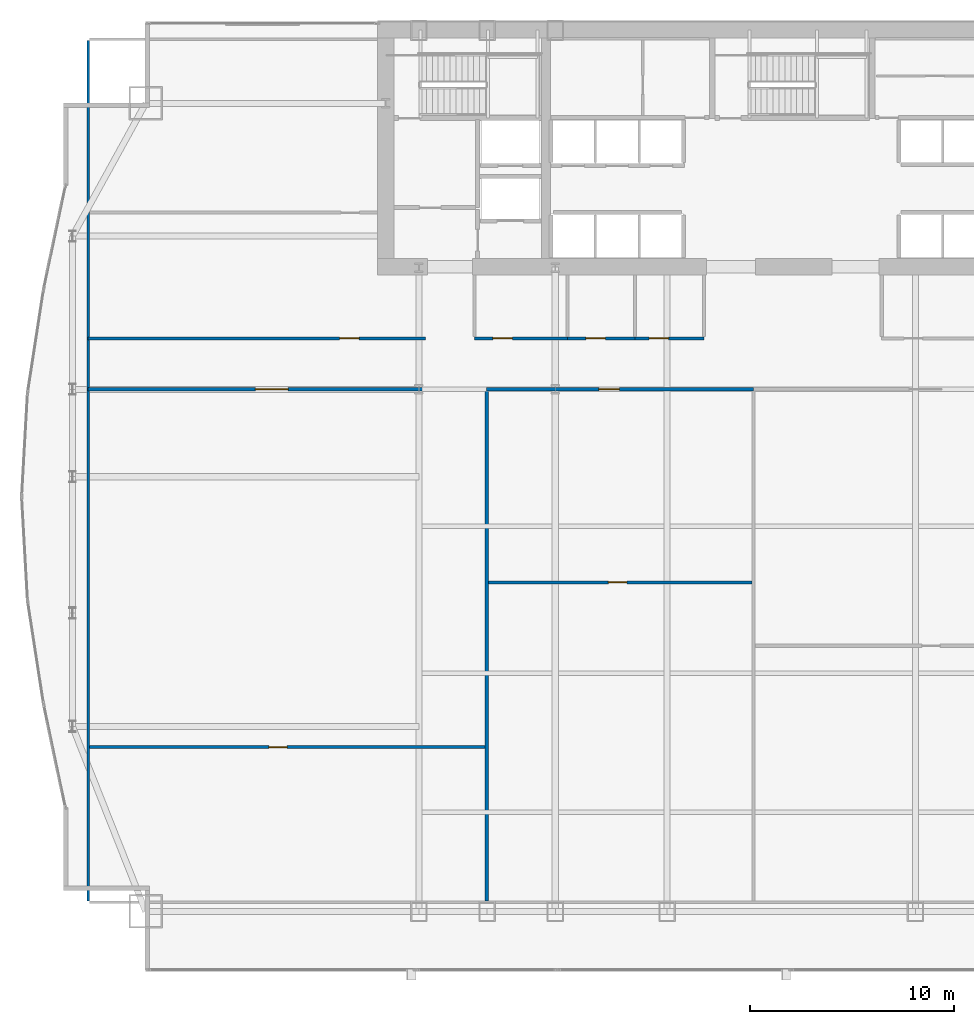
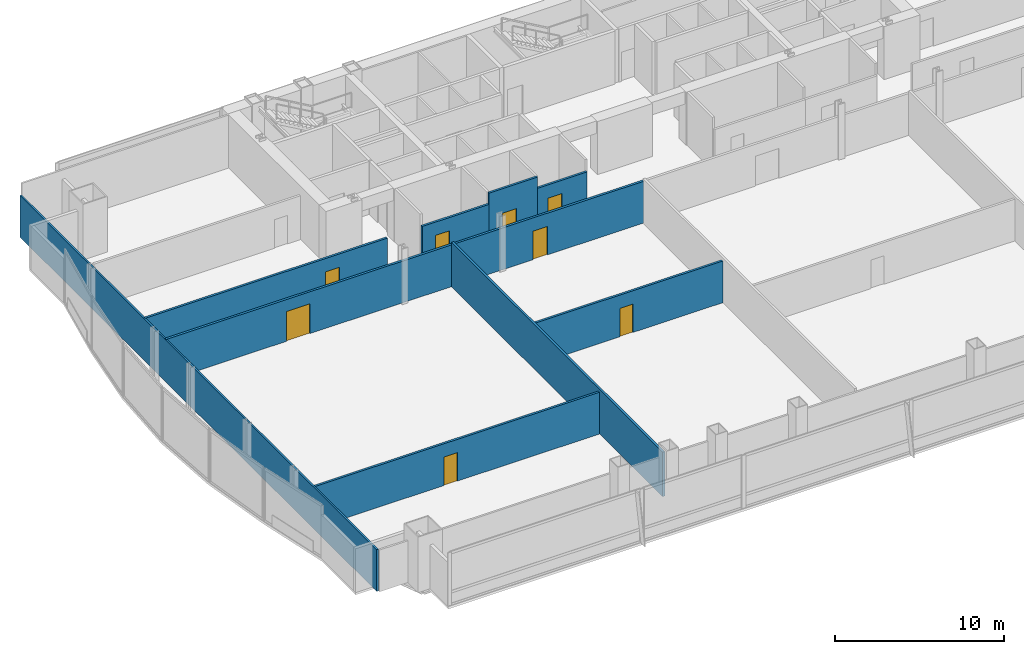
# One storey, part 28 of 35: 10 walls, 8 doors, 8 openings.
"""IFC4 building model written with IfcOpenShell, lengths in metres."""

from ifc_helpers import new_model, si_unit, direction, frame, frame_2d, origin, place, context, subcontext, project, spatial, rectangle, extrude, material, layer, layer_set, type_object, element, fill, save


model = new_model("IFC4")

# Units and contexts
model_context = context("Model", 3, precision=1e-05, world=origin(), true_north=direction((0.0, 1.0)))
body_context = subcontext(model_context, "Body", "Model", "MODEL_VIEW")
ifc_project = project(units=[si_unit("LENGTHUNIT", "METRE"), si_unit("AREAUNIT", "SQUARE_METRE"), si_unit("VOLUMEUNIT", "CUBIC_METRE"), si_unit("PLANEANGLEUNIT", "RADIAN"), si_unit("MASSUNIT", "GRAM", prefix="KILO")], contexts=[model_context])

# Site, building, storey
site_placement = place(None, origin())
site = spatial("IfcSite", under=ifc_project, at=site_placement, CompositionType="ELEMENT")
building_placement = place(site_placement, origin())
building = spatial("IfcBuilding", under=site, at=building_placement, Name="Khoronbel Lancet Exchange", CompositionType="ELEMENT")
storey_placement = place(building_placement, frame((0.0, 0.0, 53.800048828125)))
storey = spatial("IfcBuildingStorey", under=building, at=storey_placement, Name="L12", CompositionType="ELEMENT", Elevation=53.800048828125)

# Wall, opening, door
ifc_material_1 = material(Name="Acoustic Metal-Stud & Mineral-Wool Gypsum Partition 120 mm", Category="gypsum")
ifc_layer_1 = layer(ifc_material_1, 0.1201171875, Name="Acoustic Metal-Stud & Mineral-Wool Gypsum Partition 120 mm")
ifc_layer_set_1 = layer_set([ifc_layer_1], Name="Acoustic Metal-Stud & Mineral-Wool Gypsum Partition 120 mm")
wall_type_1 = type_object("IfcWallType", Name="WL-PRT120", PredefinedType="PARTITIONING", material=ifc_layer_set_1)
wall_1_placement = place(storey_placement, frame((2.094970703125, 18.189697265625, 0.0), z_axis=(0.0, 0.0, 1.0), x_axis=(1.0, 0.0, 0.0)))
wall_1 = element("IfcWall", 1, at=wall_1_placement, inside=storey, type_object=wall_type_1, Name="Level L12 interior partition PW-Z1S-H1", PredefinedType="PARTITIONING", context=body_context, shape_type="SweptSolid", body=[
    extrude(rectangle(XDim=19.3701171875, YDim=0.14990234375, at=frame_2d((9.68505859375, 0.0))), origin(), (0.0, 0.0, 1.0), 3.010009765625),
])
opening_1_placement = place(wall_1_placement, frame((8.78173828125, 0.0, 0.0)))
opening_1 = element("IfcOpeningElement", 2, at=opening_1_placement, cuts=wall_1, Name="Opening D5", PredefinedType="OPENING", context=body_context, shape_type="SweptSolid", body=[
    extrude(rectangle(XDim=0.89990234375, YDim=2.050048828125, at=frame_2d((0.449951171875, 1.02490234375))), frame((0.0, 0.0849609375, 0.0), z_axis=(0.0, -1.0, 0.0), x_axis=(1.0, 0.0, 0.0)), (0.0, 0.0, 1.0), 0.169921875),
])
ifc_material_2 = material(Name="Acoustic Timber Pantry & Support Door", Category="wood")
door_type_1 = type_object("IfcDoorType", Name="DR-D5", OperationType="NOTDEFINED", PredefinedType="DOOR", material=ifc_material_2)
door_1_placement = place(opening_1_placement, origin())
door_1 = element("IfcDoor", 3, at=door_1_placement, inside=storey, type_object=door_type_1, Name="Z1S inner door 1 L12-1", OperationType="SINGLE_SWING_RIGHT", OverallHeight=2.050048828125, OverallWidth=0.89990234375, PredefinedType="DOOR", context=body_context, shape_type="SweptSolid", body=[
    extrude(rectangle(XDim=0.89990234375, YDim=2.050048828125, at=frame_2d((0.449951171875, 1.02490234375))), frame((0.0, 0.02490234375, 0.0), z_axis=(0.0, -1.0, 0.0), x_axis=(1.0, 0.0, 0.0)), (0.0, 0.0, 1.0), 0.050048828125),
])
fill(opening_1, door_1)

wall_2_placement = place(storey_placement, frame((21.625, 26.25732421875, 0.0), z_axis=(0.0, 0.0, 1.0), x_axis=(1.0, 0.0, 0.0)))
wall_2 = element("IfcWall", 4, at=wall_2_placement, inside=storey, type_object=wall_type_1, Name="Level L12 interior partition PW-Z1S-H2", PredefinedType="PARTITIONING", context=body_context, shape_type="SweptSolid", body=[
    extrude(rectangle(XDim=12.908203125, YDim=0.14990234375, at=frame_2d((6.4541015625, 0.0))), origin(), (0.0, 0.0, 1.0), 3.010009765625),
])
opening_2_placement = place(wall_2_placement, frame((5.880615234375, 0.0, 0.0)))
opening_2 = element("IfcOpeningElement", 5, at=opening_2_placement, cuts=wall_2, Name="Opening D5", PredefinedType="OPENING", context=body_context, shape_type="SweptSolid", body=[
    extrude(rectangle(XDim=0.89990234375, YDim=2.050048828125, at=frame_2d((0.449951171875, 1.02490234375))), frame((0.0, 0.0849609375, 0.0), z_axis=(0.0, -1.0, 0.0), x_axis=(1.0, 0.0, 0.0)), (0.0, 0.0, 1.0), 0.169921875),
])
door_2_placement = place(opening_2_placement, origin())
door_2 = element("IfcDoor", 6, at=door_2_placement, inside=storey, type_object=door_type_1, Name="Z1S inner door 2 L12-1", OperationType="SINGLE_SWING_RIGHT", OverallHeight=2.050048828125, OverallWidth=0.89990234375, PredefinedType="DOOR", context=body_context, shape_type="SweptSolid", body=[
    extrude(rectangle(XDim=0.89990234375, YDim=2.050048828125, at=frame_2d((0.449951171875, 1.02490234375))), frame((0.0, 0.02490234375, 0.0), z_axis=(0.0, -1.0, 0.0), x_axis=(1.0, 0.0, 0.0)), (0.0, 0.0, 1.0), 0.050048828125),
])
fill(opening_2, door_2)

# Wall
wall_3_placement = place(storey_placement, frame((2.030029296875, 10.6650390625, 0.0), z_axis=(0.0, 0.0, 1.0), x_axis=(0.0, 1.0, 0.0)))
element("IfcWall", 7, at=wall_3_placement, inside=storey, type_object=wall_type_1, Name="Level L12 interior partition PW-LIN-W", PredefinedType="PARTITIONING", context=body_context, shape_type="SweptSolid", body=[
    extrude(rectangle(XDim=42.10986328125, YDim=0.1201171875, at=frame_2d((21.054931640625, 0.0))), origin(), (0.0, 0.0, 1.0), 3.010009765625),
])

# Wall, opening, door
ifc_material_3 = material(Name="Fire-Rated Twin-Stud Acoustic Gypsum Partition 150 mm", Category="gypsum")
ifc_layer_2 = layer(ifc_material_3, 0.14990234375, Name="Fire-Rated Twin-Stud Acoustic Gypsum Partition 150 mm")
ifc_layer_set_2 = layer_set([ifc_layer_2], Name="Fire-Rated Twin-Stud Acoustic Gypsum Partition 150 mm")
wall_type_2 = type_object("IfcWallType", Name="WL-PRT150C", PredefinedType="PARTITIONING", material=ifc_layer_set_2)
wall_4_placement = place(storey_placement, frame((20.949951171875, 38.199951171875, 0.0), z_axis=(0.0, 0.0, 1.0), x_axis=(1.0, 0.0, 0.0)))
wall_4 = element("IfcWall", 8, at=wall_4_placement, inside=storey, type_object=wall_type_2, Name="Level L12 interior partition PW-WC-S1", PredefinedType="PARTITIONING", context=body_context, shape_type="SweptSolid", body=[
    extrude(rectangle(XDim=4.550048828125, YDim=0.14990234375, at=frame_2d((2.27490234375, 0.0))), origin(), (0.0, 0.0, 1.0), 3.010009765625),
])
opening_3_placement = place(wall_4_placement, frame((0.89990234375, 0.0, 0.0)))
opening_3 = element("IfcOpeningElement", 9, at=opening_3_placement, cuts=wall_4, Name="Opening D4", PredefinedType="OPENING", context=body_context, shape_type="SweptSolid", body=[
    extrude(rectangle(XDim=0.949951171875, YDim=2.050048828125, at=frame_2d((0.47509765625, 1.02490234375))), frame((0.0, 0.0849609375, 0.0), z_axis=(0.0, -1.0, 0.0), x_axis=(1.0, 0.0, 0.0)), (0.0, 0.0, 1.0), 0.169921875),
])
ifc_material_4 = material(Name="Moisture-Resistant HPL Washroom Door", Category="wood")
door_type_2 = type_object("IfcDoorType", Name="DR-D4", OperationType="NOTDEFINED", PredefinedType="DOOR", material=ifc_material_4)
door_3_placement = place(opening_3_placement, origin())
door_3 = element("IfcDoor", 10, at=door_3_placement, inside=storey, type_object=door_type_2, Name="Male washroom door L12-1", OperationType="SINGLE_SWING_LEFT", OverallHeight=2.050048828125, OverallWidth=0.949951171875, PredefinedType="DOOR", context=body_context, shape_type="SweptSolid", body=[
    extrude(rectangle(XDim=0.949951171875, YDim=2.050048828125, at=frame_2d((0.47509765625, 1.02490234375))), frame((0.0, 0.02490234375, 0.0), z_axis=(0.0, -1.0, 0.0), x_axis=(1.0, 0.0, 0.0)), (0.0, 0.0, 1.0), 0.050048828125),
])
fill(opening_3, door_3)

wall_5_placement = place(storey_placement, frame((25.5, 38.199951171875, 0.0), z_axis=(0.0, 0.0, 1.0), x_axis=(1.0, 0.0, 0.0)))
wall_5 = element("IfcWall", 11, at=wall_5_placement, inside=storey, type_object=wall_type_2, Name="Level L12 interior partition PW-WC-S2", PredefinedType="PARTITIONING", context=body_context, shape_type="SweptSolid", body=[
    extrude(rectangle(XDim=3.300048828125, YDim=0.14990234375, at=frame_2d((1.64990234375, 0.0))), origin(), (0.0, 0.0, 1.0), 3.820068359375),
])
opening_4_placement = place(wall_5_placement, frame((0.89990234375, 0.0, 0.0)))
opening_4 = element("IfcOpeningElement", 12, at=opening_4_placement, cuts=wall_5, Name="Opening D4", PredefinedType="OPENING", context=body_context, shape_type="SweptSolid", body=[
    extrude(rectangle(XDim=0.949951171875, YDim=2.050048828125, at=frame_2d((0.47509765625, 1.02490234375))), frame((0.0, 0.0849609375, 0.0), z_axis=(0.0, -1.0, 0.0), x_axis=(1.0, 0.0, 0.0)), (0.0, 0.0, 1.0), 0.169921875),
])
door_4_placement = place(opening_4_placement, origin())
door_4 = element("IfcDoor", 13, at=door_4_placement, inside=storey, type_object=door_type_2, Name="Female washroom door L12-1", OperationType="SINGLE_SWING_RIGHT", OverallHeight=2.050048828125, OverallWidth=0.949951171875, PredefinedType="DOOR", context=body_context, shape_type="SweptSolid", body=[
    extrude(rectangle(XDim=0.949951171875, YDim=2.050048828125, at=frame_2d((0.47509765625, 1.02490234375))), frame((0.0, 0.02490234375, 0.0), z_axis=(0.0, -1.0, 0.0), x_axis=(1.0, 0.0, 0.0)), (0.0, 0.0, 1.0), 0.050048828125),
])
fill(opening_4, door_4)

wall_6_placement = place(storey_placement, frame((28.800048828125, 38.199951171875, 0.0), z_axis=(0.0, 0.0, 1.0), x_axis=(1.0, 0.0, 0.0)))
wall_6 = element("IfcWall", 14, at=wall_6_placement, inside=storey, type_object=wall_type_2, Name="Level L12 interior partition PW-WC-S3", PredefinedType="PARTITIONING", context=body_context, shape_type="SweptSolid", body=[
    extrude(rectangle(XDim=3.3798828125, YDim=0.14990234375, at=frame_2d((1.68994140625, 0.0))), origin(), (0.0, 0.0, 1.0), 3.010009765625),
])
opening_5_placement = place(wall_6_placement, frame((0.699951171875, 0.0, 0.0)))
opening_5 = element("IfcOpeningElement", 15, at=opening_5_placement, cuts=wall_6, Name="Opening D4", PredefinedType="OPENING", context=body_context, shape_type="SweptSolid", body=[
    extrude(rectangle(XDim=0.949951171875, YDim=2.050048828125, at=frame_2d((0.47509765625, 1.02490234375))), frame((0.0, 0.0849609375, 0.0), z_axis=(0.0, -1.0, 0.0), x_axis=(1.0, 0.0, 0.0)), (0.0, 0.0, 1.0), 0.169921875),
])
door_5_placement = place(opening_5_placement, origin())
door_5 = element("IfcDoor", 16, at=door_5_placement, inside=storey, type_object=door_type_2, Name="Accessible WC door L12-1", OperationType="SINGLE_SWING_LEFT", OverallHeight=2.050048828125, OverallWidth=0.949951171875, PredefinedType="DOOR", context=body_context, shape_type="SweptSolid", body=[
    extrude(rectangle(XDim=0.949951171875, YDim=2.050048828125, at=frame_2d((0.47509765625, 1.02490234375))), frame((0.0, 0.02490234375, 0.0), z_axis=(0.0, -1.0, 0.0), x_axis=(1.0, 0.0, 0.0)), (0.0, 0.0, 1.0), 0.050048828125),
])
fill(opening_5, door_5)

wall_7_placement = place(storey_placement, frame((2.030029296875, 38.199951171875, 0.0), z_axis=(0.0, 0.0, 1.0), x_axis=(1.0, 0.0, 0.0)))
wall_7 = element("IfcWall", 17, at=wall_7_placement, inside=storey, type_object=wall_type_2, Name="Level L12 interior partition PW-NW-S", PredefinedType="PARTITIONING", context=body_context, shape_type="SweptSolid", body=[
    extrude(rectangle(XDim=16.52001953125, YDim=0.14990234375, at=frame_2d((8.260009765625, 0.0))), origin(), (0.0, 0.0, 1.0), 3.010009765625),
])
opening_6_placement = place(wall_7_placement, frame((12.320068359375, 0.0, 0.0)))
opening_6 = element("IfcOpeningElement", 18, at=opening_6_placement, cuts=wall_7, Name="Opening D1", PredefinedType="OPENING", context=body_context, shape_type="SweptSolid", body=[
    extrude(rectangle(XDim=0.949951171875, YDim=2.050048828125, at=frame_2d((0.47509765625, 1.02490234375))), frame((0.0, 0.0849609375, 0.0), z_axis=(0.0, -1.0, 0.0), x_axis=(1.0, 0.0, 0.0)), (0.0, 0.0, 1.0), 0.169921875),
])
ifc_material_5 = material(Name="Acoustic Veneered Timber & Bronze Frame Door", Category="wood")
door_type_3 = type_object("IfcDoorType", Name="DR-D1", OperationType="NOTDEFINED", PredefinedType="DOOR", material=ifc_material_5)
door_6_placement = place(opening_6_placement, origin())
door_6 = element("IfcDoor", 19, at=door_6_placement, inside=storey, type_object=door_type_3, Name="NW corner room door L12-1", OperationType="SINGLE_SWING_RIGHT", OverallHeight=2.050048828125, OverallWidth=0.949951171875, PredefinedType="DOOR", context=body_context, shape_type="SweptSolid", body=[
    extrude(rectangle(XDim=0.949951171875, YDim=2.050048828125, at=frame_2d((0.47509765625, 1.02490234375))), frame((0.0, 0.02490234375, 0.0), z_axis=(0.0, -1.0, 0.0), x_axis=(1.0, 0.0, 0.0)), (0.0, 0.0, 1.0), 0.050048828125),
])
fill(opening_6, door_6)

# Wall
wall_8_placement = place(storey_placement, frame((21.545166015625, 10.6650390625, 0.0), z_axis=(0.0, 0.0, 1.0), x_axis=(0.0, 1.0, 0.0)))
element("IfcWall", 20, at=wall_8_placement, inside=storey, type_object=wall_type_2, Name="Level L12 interior partition PW-Z1S-V1", PredefinedType="PARTITIONING", context=body_context, shape_type="SweptSolid", body=[
    extrude(rectangle(XDim=24.949951171875, YDim=0.14990234375, at=frame_2d((12.47509765625, 0.0))), origin(), (0.0, 0.0, 1.0), 3.2099609375),
])

# Wall, opening, door
ifc_material_6 = material(Name="Fire-Rated Twin-Stud Acoustic Gypsum Partition 160 mm", Category="gypsum")
ifc_layer_3 = layer(ifc_material_6, 0.159912109375, Name="Fire-Rated Twin-Stud Acoustic Gypsum Partition 160 mm")
ifc_layer_set_3 = layer_set([ifc_layer_3], Name="Fire-Rated Twin-Stud Acoustic Gypsum Partition 160 mm")
wall_type_3 = type_object("IfcWallType", Name="WL-PRT160C", PredefinedType="PARTITIONING", material=ifc_layer_set_3)
wall_9_placement = place(storey_placement, frame((2.030029296875, 35.699951171875, 0.0), z_axis=(0.0, 0.0, 1.0), x_axis=(1.0, 0.0, 0.0)))
wall_9 = element("IfcWall", 21, at=wall_9_placement, inside=storey, type_object=wall_type_3, Name="Level L12 interior partition PW-Z1S-COR1", PredefinedType="PARTITIONING", context=body_context, shape_type="SweptSolid", body=[
    extrude(rectangle(XDim=19.51513671875, YDim=0.159912109375, at=frame_2d((9.757568359375, 0.0))), origin(), (0.0, 0.0, 1.0), 3.010009765625),
])
opening_7_placement = place(wall_9_placement, frame((8.1962890625, 0.0, 0.0)))
opening_7 = element("IfcOpeningElement", 22, at=opening_7_placement, cuts=wall_9, Name="Opening D3", PredefinedType="OPENING", context=body_context, shape_type="SweptSolid", body=[
    extrude(rectangle(XDim=1.60009765625, YDim=2.14990234375, at=frame_2d((0.800048828125, 1.074951171875))), frame((0.0, 0.08984375, 0.0), z_axis=(0.0, -1.0, 0.0), x_axis=(1.0, 0.0, 0.0)), (0.0, 0.0, 1.0), 0.179931640625),
])
ifc_material_7 = material(Name="Glazed Bronze-Framed Double Suite Door", Category="aluminium")
door_type_4 = type_object("IfcDoorType", Name="DR-D3", OperationType="NOTDEFINED", PredefinedType="DOOR", material=ifc_material_7)
door_7_placement = place(opening_7_placement, origin())
door_7 = element("IfcDoor", 23, at=door_7_placement, inside=storey, type_object=door_type_4, Name="Z1S bay 1 door L12-1", OperationType="DOUBLE_DOOR_SINGLE_SWING", OverallHeight=2.14990234375, OverallWidth=1.60009765625, PredefinedType="DOOR", context=body_context, shape_type="SweptSolid", body=[
    extrude(rectangle(XDim=1.60009765625, YDim=2.14990234375, at=frame_2d((0.800048828125, 1.074951171875))), frame((0.0, 0.02490234375, 0.0), z_axis=(0.0, -1.0, 0.0), x_axis=(1.0, 0.0, 0.0)), (0.0, 0.0, 1.0), 0.050048828125),
])
fill(opening_7, door_7)

wall_10_placement = place(storey_placement, frame((21.545166015625, 35.699951171875, 0.0), z_axis=(0.0, 0.0, 1.0), x_axis=(1.0, 0.0, 0.0)))
wall_10 = element("IfcWall", 24, at=wall_10_placement, inside=storey, type_object=wall_type_3, Name="Level L12 interior partition PW-Z1S-COR2", PredefinedType="PARTITIONING", context=body_context, shape_type="SweptSolid", body=[
    extrude(rectangle(XDim=13.068115234375, YDim=0.159912109375, at=frame_2d((6.5341796875, 0.0))), origin(), (0.0, 0.0, 1.0), 3.010009765625),
])
opening_8_placement = place(wall_10_placement, frame((5.488525390625, 0.0, 0.0)))
opening_8 = element("IfcOpeningElement", 25, at=opening_8_placement, cuts=wall_10, Name="Opening D2", PredefinedType="OPENING", context=body_context, shape_type="SweptSolid", body=[
    extrude(rectangle(XDim=1.0, YDim=2.050048828125, at=frame_2d((0.5, 1.02490234375))), frame((0.0, 0.08984375, 0.0), z_axis=(0.0, -1.0, 0.0), x_axis=(1.0, 0.0, 0.0)), (0.0, 0.0, 1.0), 0.179931640625),
])
door_type_5 = type_object("IfcDoorType", Name="DR-D2", OperationType="NOTDEFINED", PredefinedType="DOOR", material=ifc_material_5)
door_8_placement = place(opening_8_placement, origin())
door_8 = element("IfcDoor", 26, at=door_8_placement, inside=storey, type_object=door_type_5, Name="Z1S bay 2 door L12-1", OperationType="SINGLE_SWING_LEFT", OverallHeight=2.050048828125, OverallWidth=1.0, PredefinedType="DOOR", context=body_context, shape_type="SweptSolid", body=[
    extrude(rectangle(XDim=1.0, YDim=2.050048828125, at=frame_2d((0.5, 1.02490234375))), frame((0.0, 0.02490234375, 0.0), z_axis=(0.0, -1.0, 0.0), x_axis=(1.0, 0.0, 0.0)), (0.0, 0.0, 1.0), 0.050048828125),
])
fill(opening_8, door_8)

save(model, "model.ifc")
